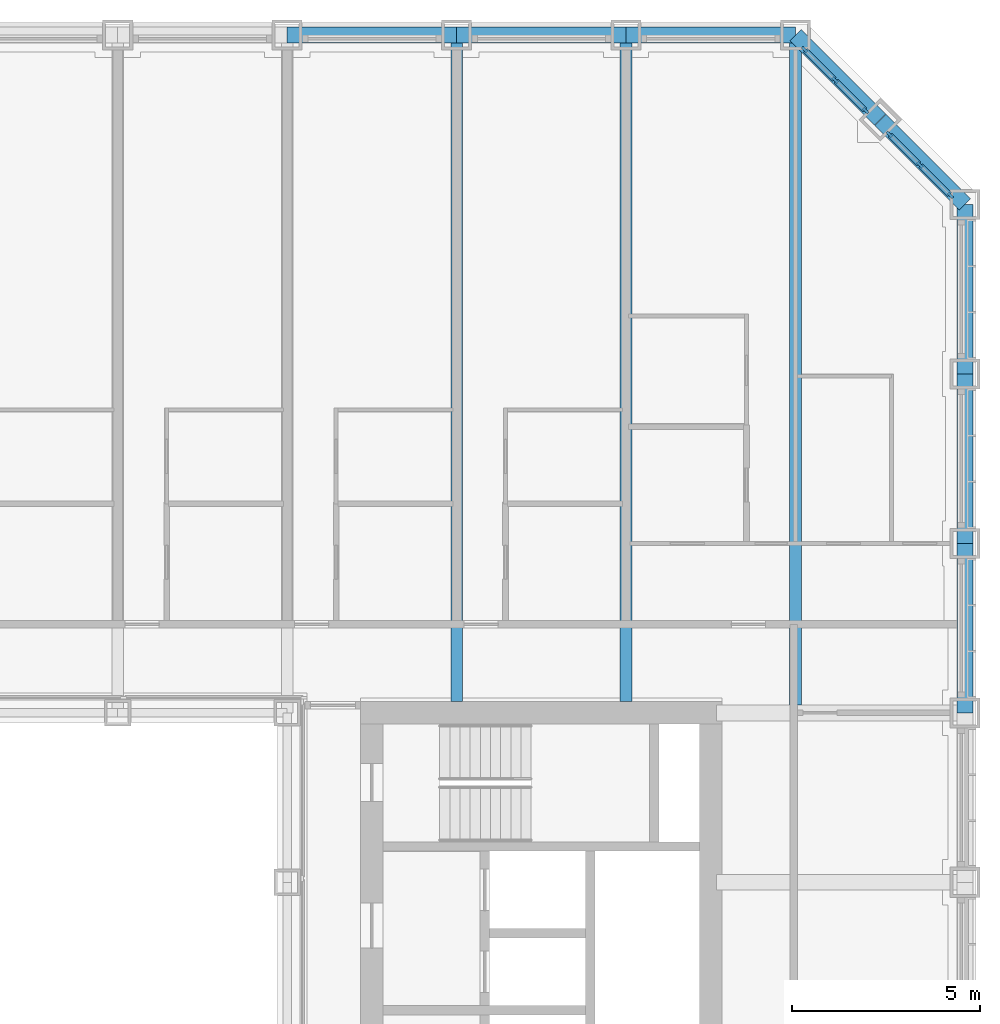
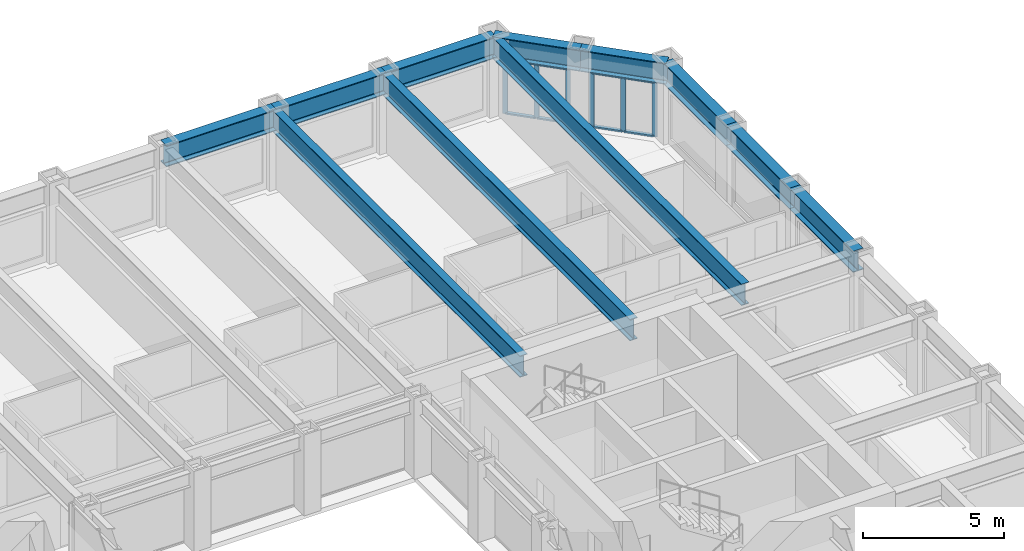
# One storey, part 7 of 21: 14 members, 11 beams, 2 elements without a shape of their own.
"""IFC4 building model written with IfcOpenShell, lengths in metres."""

from ifc_helpers import new_model, si_unit, direction, frame, origin, origin_2d, place, context, subcontext, project, spatial, rectangle, i_section, extrude, material, material_profile, profile_set, type_object, element, aggregate, save


model = new_model("IFC4")

# Units and contexts
model_context = context("Model", 3, precision=1e-05, world=origin(), true_north=direction((0.0, 1.0)))
body_context = subcontext(model_context, "Body", "Model", "MODEL_VIEW")
ifc_project = project(units=[si_unit("LENGTHUNIT", "METRE"), si_unit("AREAUNIT", "SQUARE_METRE"), si_unit("VOLUMEUNIT", "CUBIC_METRE"), si_unit("PLANEANGLEUNIT", "RADIAN"), si_unit("MASSUNIT", "GRAM", prefix="KILO")], contexts=[model_context])

# Site, building, storey
site_placement = place(None, origin())
site = spatial("IfcSite", under=ifc_project, at=site_placement, CompositionType="ELEMENT")
building_placement = place(site_placement, origin())
building = spatial("IfcBuilding", under=site, at=building_placement, Name="Msasa Ring Tower", CompositionType="ELEMENT")
storey_placement = place(building_placement, frame((0.0, 0.0, 30.0)))
storey = spatial("IfcBuildingStorey", under=building, at=storey_placement, Name="L06", CompositionType="ELEMENT", Elevation=30.0)

# Curtain wall, members
ifc_material_1 = material(Name="Aluminium curtain wall with clear glass", Category="aluminium")
curtain_wall_type = type_object("IfcCurtainWallType", Name="CW-C CHAMFER CORNER CURTAIN WALL", PredefinedType="NOTDEFINED", material=ifc_material_1)
curtain_wall_1_placement = place(storey_placement, origin())
curtain_wall_1 = element("IfcCurtainWall", 1, at=curtain_wall_1_placement, inside=storey, type_object=curtain_wall_type, Name="Chamfer corner curtain wall NE L06", PredefinedType="NOTDEFINED")
ifc_material_2 = material(Name="Aluminium mullion", Category="aluminium")
ifc_material_profile_1 = material_profile(ifc_material_2, rectangle(XDim=0.06494140625, YDim=0.179931640625, at=origin_2d()), Name="AL 65x180")
ifc_profile_set_1 = profile_set([ifc_material_profile_1], Name="Aluminium mullion")
member_type_1 = type_object("IfcMemberType", Name="CW-C MULLION 65x180", PredefinedType="MULLION", material=ifc_profile_set_1)
member_1_placement = place(storey_placement, frame((22.119873046875, 22.73876953125, 0.0), z_axis=(0.0, 0.0, 1.0), x_axis=(-0.707106781187, -0.707106781187, 0.0)))
member_1 = element("IfcMember", 2, at=member_1_placement, type_object=member_type_1, Name="CW-C mullion 1", PredefinedType="MULLION", context=body_context, shape_type="SweptSolid", body=[
    extrude(rectangle(XDim=0.06494140625, YDim=0.179931640625, at=origin_2d()), origin(), (0.0, 0.0, 1.0), 2.37890625),
])
member_2_placement = place(storey_placement, frame((21.30419921875, 23.55419921875, 0.0), z_axis=(0.0, 0.0, 1.0), x_axis=(-0.707106781187, -0.707106781187, 0.0)))
member_2 = element("IfcMember", 3, at=member_2_placement, type_object=member_type_1, Name="CW-C mullion 2", PredefinedType="MULLION", context=body_context, shape_type="SweptSolid", body=[
    extrude(rectangle(XDim=0.06494140625, YDim=0.179931640625, at=origin_2d()), origin(), (0.0, 0.0, 1.0), 2.37890625),
])
member_3_placement = place(storey_placement, frame((20.48876953125, 24.369873046875, 0.0), z_axis=(0.0, 0.0, 1.0), x_axis=(-0.707106781187, -0.707106781187, 0.0)))
member_3 = element("IfcMember", 4, at=member_3_placement, type_object=member_type_1, Name="CW-C mullion 3", PredefinedType="MULLION", context=body_context, shape_type="SweptSolid", body=[
    extrude(rectangle(XDim=0.06494140625, YDim=0.179931640625, at=origin_2d()), origin(), (0.0, 0.0, 1.0), 2.37890625),
])

curtain_wall_2_placement = place(storey_placement, origin())
curtain_wall_2 = element("IfcCurtainWall", 5, at=curtain_wall_2_placement, inside=storey, type_object=curtain_wall_type, Name="Chamfer corner curtain wall NE L06", PredefinedType="NOTDEFINED")
member_4_placement = place(storey_placement, frame((24.369873046875, 20.48876953125, 0.0), z_axis=(0.0, 0.0, 1.0), x_axis=(-0.707106781187, -0.707106781187, 0.0)))
member_4 = element("IfcMember", 6, at=member_4_placement, type_object=member_type_1, Name="CW-C mullion 1", PredefinedType="MULLION", context=body_context, shape_type="SweptSolid", body=[
    extrude(rectangle(XDim=0.06494140625, YDim=0.179931640625, at=origin_2d()), origin(), (0.0, 0.0, 1.0), 2.37890625),
])
member_5_placement = place(storey_placement, frame((23.55419921875, 21.30419921875, 0.0), z_axis=(0.0, 0.0, 1.0), x_axis=(-0.707106781187, -0.707106781187, 0.0)))
member_5 = element("IfcMember", 7, at=member_5_placement, type_object=member_type_1, Name="CW-C mullion 2", PredefinedType="MULLION", context=body_context, shape_type="SweptSolid", body=[
    extrude(rectangle(XDim=0.06494140625, YDim=0.179931640625, at=origin_2d()), origin(), (0.0, 0.0, 1.0), 2.37890625),
])
member_6_placement = place(storey_placement, frame((22.73876953125, 22.119873046875, 0.0), z_axis=(0.0, 0.0, 1.0), x_axis=(-0.707106781187, -0.707106781187, 0.0)))
member_6 = element("IfcMember", 8, at=member_6_placement, type_object=member_type_1, Name="CW-C mullion 3", PredefinedType="MULLION", context=body_context, shape_type="SweptSolid", body=[
    extrude(rectangle(XDim=0.06494140625, YDim=0.179931640625, at=origin_2d()), origin(), (0.0, 0.0, 1.0), 2.37890625),
])

# Member
ifc_material_3 = material(Name="Aluminium transom", Category="aluminium")
ifc_material_profile_2 = material_profile(ifc_material_3, rectangle(XDim=0.139892578125, YDim=0.06494140625, at=origin_2d()), Name="AL 65x140")
ifc_profile_set_2 = profile_set([ifc_material_profile_2], Name="Aluminium transom")
member_type_2 = type_object("IfcMemberType", Name="CW-C TRANSOM 65x140", PredefinedType="USERDEFINED", material=ifc_profile_set_2)
member_7_placement = place(storey_placement, frame((22.096923828125, 22.76171875, 0.032470703125), z_axis=(-0.707106781187, 0.707106781187, 0.0), x_axis=(-0.707106781187, -0.707106781187, 0.0)))
member_7 = element("IfcMember", 9, at=member_7_placement, type_object=member_type_2, Name="CW-C transom 1.1", ObjectType="TRANSOM", PredefinedType="USERDEFINED", context=body_context, shape_type="SweptSolid", body=[
    extrude(rectangle(XDim=0.139892578125, YDim=0.06494140625, at=origin_2d()), origin(), (0.0, 0.0, 1.0), 1.08837890625),
])

member_8_placement = place(storey_placement, frame((22.096923828125, 22.76171875, 2.346435546875), z_axis=(-0.707106781187, 0.707106781187, 0.0), x_axis=(-0.707106781187, -0.707106781187, 0.0)))
member_8 = element("IfcMember", 10, at=member_8_placement, type_object=member_type_2, Name="CW-C transom 1.2", ObjectType="TRANSOM", PredefinedType="USERDEFINED", context=body_context, shape_type="SweptSolid", body=[
    extrude(rectangle(XDim=0.139892578125, YDim=0.06494140625, at=origin_2d()), origin(), (0.0, 0.0, 1.0), 1.08837890625),
])

member_9_placement = place(storey_placement, frame((21.28125, 23.577392578125, 0.032470703125), z_axis=(-0.707106781187, 0.707106781187, 0.0), x_axis=(-0.707106781187, -0.707106781187, 0.0)))
member_9 = element("IfcMember", 11, at=member_9_placement, type_object=member_type_2, Name="CW-C transom 2.1", ObjectType="TRANSOM", PredefinedType="USERDEFINED", context=body_context, shape_type="SweptSolid", body=[
    extrude(rectangle(XDim=0.139892578125, YDim=0.06494140625, at=origin_2d()), origin(), (0.0, 0.0, 1.0), 1.08837890625),
])

member_10_placement = place(storey_placement, frame((21.28125, 23.577392578125, 2.346435546875), z_axis=(-0.707106781187, 0.707106781187, 0.0), x_axis=(-0.707106781187, -0.707106781187, 0.0)))
member_10 = element("IfcMember", 12, at=member_10_placement, type_object=member_type_2, Name="CW-C transom 2.2", ObjectType="TRANSOM", PredefinedType="USERDEFINED", context=body_context, shape_type="SweptSolid", body=[
    extrude(rectangle(XDim=0.139892578125, YDim=0.06494140625, at=origin_2d()), origin(), (0.0, 0.0, 1.0), 1.08837890625),
])

aggregate(curtain_wall_1, [member_1, member_2, member_3, member_7, member_8, member_9, member_10])

member_11_placement = place(storey_placement, frame((24.346923828125, 20.51171875, 0.032470703125), z_axis=(-0.707106781187, 0.707106781187, 0.0), x_axis=(-0.707106781187, -0.707106781187, 0.0)))
member_11 = element("IfcMember", 13, at=member_11_placement, type_object=member_type_2, Name="CW-C transom 1.1", ObjectType="TRANSOM", PredefinedType="USERDEFINED", context=body_context, shape_type="SweptSolid", body=[
    extrude(rectangle(XDim=0.139892578125, YDim=0.06494140625, at=origin_2d()), origin(), (0.0, 0.0, 1.0), 1.08837890625),
])

member_12_placement = place(storey_placement, frame((24.346923828125, 20.51171875, 2.346435546875), z_axis=(-0.707106781187, 0.707106781187, 0.0), x_axis=(-0.707106781187, -0.707106781187, 0.0)))
member_12 = element("IfcMember", 14, at=member_12_placement, type_object=member_type_2, Name="CW-C transom 1.2", ObjectType="TRANSOM", PredefinedType="USERDEFINED", context=body_context, shape_type="SweptSolid", body=[
    extrude(rectangle(XDim=0.139892578125, YDim=0.06494140625, at=origin_2d()), origin(), (0.0, 0.0, 1.0), 1.08837890625),
])

member_13_placement = place(storey_placement, frame((23.53125, 21.327392578125, 0.032470703125), z_axis=(-0.707106781187, 0.707106781187, 0.0), x_axis=(-0.707106781187, -0.707106781187, 0.0)))
member_13 = element("IfcMember", 15, at=member_13_placement, type_object=member_type_2, Name="CW-C transom 2.1", ObjectType="TRANSOM", PredefinedType="USERDEFINED", context=body_context, shape_type="SweptSolid", body=[
    extrude(rectangle(XDim=0.139892578125, YDim=0.06494140625, at=origin_2d()), origin(), (0.0, 0.0, 1.0), 1.08837890625),
])

member_14_placement = place(storey_placement, frame((23.53125, 21.327392578125, 2.346435546875), z_axis=(-0.707106781187, 0.707106781187, 0.0), x_axis=(-0.707106781187, -0.707106781187, 0.0)))
member_14 = element("IfcMember", 16, at=member_14_placement, type_object=member_type_2, Name="CW-C transom 2.2", ObjectType="TRANSOM", PredefinedType="USERDEFINED", context=body_context, shape_type="SweptSolid", body=[
    extrude(rectangle(XDim=0.139892578125, YDim=0.06494140625, at=origin_2d()), origin(), (0.0, 0.0, 1.0), 1.08837890625),
])

aggregate(curtain_wall_2, [member_4, member_5, member_6, member_11, member_12, member_13, member_14])

# Beams
ifc_material_4 = material(Name="Steel S355", Category="steel")
ifc_material_profile_3 = material_profile(ifc_material_4, i_section(OverallWidth=0.3076171875, OverallDepth=0.926513671875, WebThickness=0.01953125, FlangeThickness=0.031982421875, FilletRadius=0.01904296875, at=origin_2d()), Name="UB 914x305x289")
ifc_profile_set_3 = profile_set([ifc_material_profile_3], Name="Steel S355")
beam_type_1 = type_object("IfcBeamType", Name="FB3 UB 914x305x289", PredefinedType="BEAM", material=ifc_profile_set_3)
for number, where, z_axis, x_axis, name in (
    (17, (11.25, 24.75, 2.836669921875), (0.0, -1.0, 0.0), (1.0, 0.0, 0.0), "Floor beam N+11.25 under L07"),
    (18, (15.75, 24.75, 2.836669921875), (0.0, -1.0, 0.0), (1.0, 0.0, 0.0), "Floor beam N+15.75 under L07"),
):
    element("IfcBeam", number, at=place(storey_placement, frame(where, z_axis=z_axis, x_axis=x_axis)), inside=storey, type_object=beam_type_1, Name=name, PredefinedType="BEAM", context=body_context, shape_type="SweptSolid", body=[
        extrude(i_section(OverallWidth=0.3076171875, OverallDepth=0.926513671875, WebThickness=0.01953125, FlangeThickness=0.031982421875, FilletRadius=0.01904296875, at=origin_2d()), origin(), (0.0, 0.0, 1.0), 17.699951171875),
    ])
beam_placement = place(storey_placement, frame((20.25, 24.75, 2.836669921875), z_axis=(0.0, -1.0, 0.0), x_axis=(1.0, 0.0, 0.0)))
element("IfcBeam", 19, at=beam_placement, inside=storey, type_object=beam_type_1, Name="Floor beam N+20.25 under L07", PredefinedType="BEAM", context=body_context, shape_type="SweptSolid", body=[
    extrude(i_section(OverallWidth=0.3076171875, OverallDepth=0.926513671875, WebThickness=0.01953125, FlangeThickness=0.031982421875, FilletRadius=0.01904296875, at=origin_2d()), origin(), (0.0, 0.0, 1.0), 17.789794921875),
])
ifc_material_5 = material(Name="Steel S355", Category="steel")
ifc_material_profile_4 = material_profile(ifc_material_5, i_section(OverallWidth=0.42041015625, OverallDepth=0.9208984375, WebThickness=0.021484375, FlangeThickness=0.03662109375, FilletRadius=0.024169921875, at=origin_2d()), Name="UB 914x419x388")
ifc_profile_set_4 = profile_set([ifc_material_profile_4], Name="Steel S355")
beam_type_2 = type_object("IfcBeamType", Name="SB1 UB 914x419x388", PredefinedType="SPANDREL", material=ifc_profile_set_4)
for number, where, z_axis, x_axis, name in (
    (20, (24.75, 6.75, 2.839599609375), (0.0, 1.0, 0.0), (-1.0, 0.0, 0.0), "Spandrel E+6.75 to E+11.25 under L07"),
    (21, (24.75, 11.25, 2.839599609375), (0.0, 1.0, 0.0), (-1.0, 0.0, 0.0), "Spandrel E+11.25 to E+15.75 under L07"),
    (22, (24.75, 15.75, 2.839599609375), (0.0, 1.0, 0.0), (-1.0, 0.0, 0.0), "Spandrel E+15.75 to E+20.25 under L07"),
):
    element("IfcBeam", number, at=place(storey_placement, frame(where, z_axis=z_axis, x_axis=x_axis)), inside=storey, type_object=beam_type_2, Name=name, PredefinedType="SPANDREL", context=body_context, shape_type="SweptSolid", body=[
        extrude(i_section(OverallWidth=0.42041015625, OverallDepth=0.9208984375, WebThickness=0.021484375, FlangeThickness=0.03662109375, FilletRadius=0.024169921875, at=origin_2d()), origin(), (0.0, 0.0, 1.0), 4.5),
    ])
for number, where, z_axis, x_axis, name in (
    (23, (24.75, 20.25, 2.839599609375), (-0.707106781187, 0.707106781187, 0.0), (-0.707106781187, -0.707106781187, 0.0), "Spandrel E+20.25 to NE under L07"),
    (24, (22.5, 22.5, 2.839599609375), (-0.707106781187, 0.707106781187, 0.0), (-0.707106781187, -0.707106781187, 0.0), "Spandrel NE to N+20.25 under L07"),
):
    element("IfcBeam", number, at=place(storey_placement, frame(where, z_axis=z_axis, x_axis=x_axis)), inside=storey, type_object=beam_type_2, Name=name, PredefinedType="SPANDREL", context=body_context, shape_type="SweptSolid", body=[
        extrude(i_section(OverallWidth=0.42041015625, OverallDepth=0.9208984375, WebThickness=0.021484375, FlangeThickness=0.03662109375, FilletRadius=0.024169921875, at=origin_2d()), origin(), (0.0, 0.0, 1.0), 3.181884765625),
    ])
for number, where, z_axis, x_axis, name in (
    (25, (20.25, 24.75, 2.839599609375), (-1.0, 0.0, 0.0), (0.0, -1.0, 0.0), "Spandrel N+20.25 to N+15.75 under L07"),
    (26, (15.75, 24.75, 2.839599609375), (-1.0, 0.0, 0.0), (0.0, -1.0, 0.0), "Spandrel N+15.75 to N+11.25 under L07"),
    (27, (11.25, 24.75, 2.839599609375), (-1.0, 0.0, 0.0), (0.0, -1.0, 0.0), "Spandrel N+11.25 to N+6.75 under L07"),
):
    element("IfcBeam", number, at=place(storey_placement, frame(where, z_axis=z_axis, x_axis=x_axis)), inside=storey, type_object=beam_type_2, Name=name, PredefinedType="SPANDREL", context=body_context, shape_type="SweptSolid", body=[
        extrude(i_section(OverallWidth=0.42041015625, OverallDepth=0.9208984375, WebThickness=0.021484375, FlangeThickness=0.03662109375, FilletRadius=0.024169921875, at=origin_2d()), origin(), (0.0, 0.0, 1.0), 4.5),
    ])

save(model, "model.ifc")
